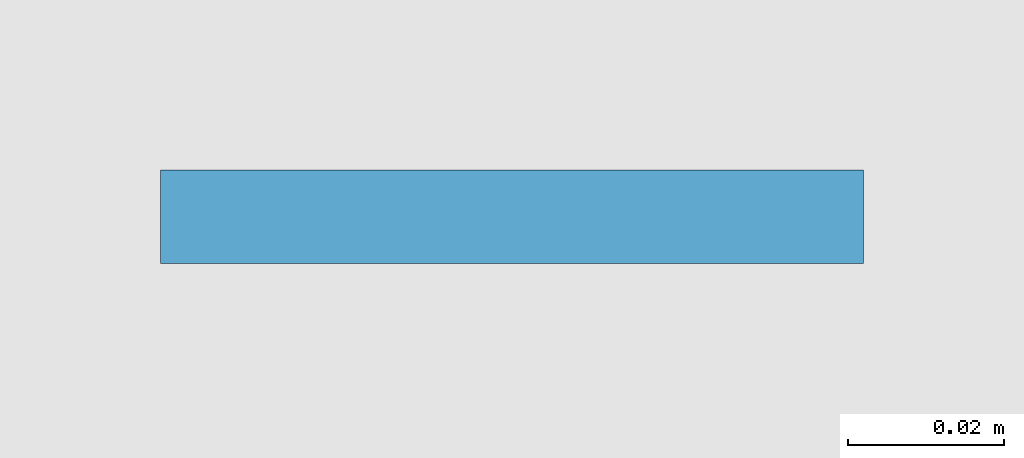
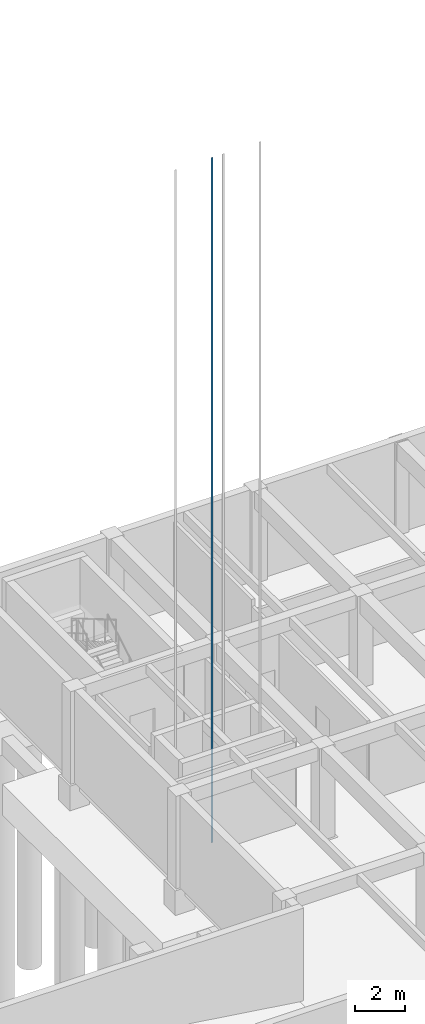
# One storey, part 9 of 44: 1 plate.
"""IFC4 building model written with IfcOpenShell, lengths in metres."""

from ifc_helpers import new_model, si_unit, direction, frame, origin, origin_2d, place, context, subcontext, project, spatial, rectangle, extrude, material, layer, layer_set, type_object, element, save


model = new_model("IFC4")

# Units and contexts
model_context = context("Model", 3, precision=1e-05, world=origin(), true_north=direction((0.0, 1.0)))
body_context = subcontext(model_context, "Body", "Model", "MODEL_VIEW")
ifc_project = project(units=[si_unit("LENGTHUNIT", "METRE"), si_unit("AREAUNIT", "SQUARE_METRE"), si_unit("VOLUMEUNIT", "CUBIC_METRE"), si_unit("PLANEANGLEUNIT", "RADIAN"), si_unit("MASSUNIT", "GRAM", prefix="KILO")], contexts=[model_context])

# Site, building, storey
site_placement = place(None, origin())
site = spatial("IfcSite", under=ifc_project, at=site_placement, CompositionType="ELEMENT")
building_placement = place(site_placement, origin())
building = spatial("IfcBuilding", under=site, at=building_placement, Name="Kolvaren Faculty of Natural Sciences", CompositionType="ELEMENT")
storey_placement = place(building_placement, frame((0.0, 0.0, -4.5)))
storey = spatial("IfcBuildingStorey", under=building, at=storey_placement, Name="B01", CompositionType="ELEMENT", Elevation=-4.5)

# Plate
ifc_material = material(Name="Structural steel EN 10025-2 S355J2", Category="steel")
ifc_layer = layer(ifc_material, 0.011962890625)
ifc_layer_set = layer_set([ifc_layer], Name="Structural steel EN 10025-2 S355J2")
plate_type = type_object("IfcPlateType", Name="LiftGuideRail_T89", PredefinedType="USERDEFINED", material=ifc_layer_set)
plate_placement = place(storey_placement, frame((36.2900390625, 28.14990234375, -0.81982421875), z_axis=(0.0, 0.0, 1.0), x_axis=(1.0, 0.0, 0.0)))
element("IfcPlate", 1, at=plate_placement, inside=storey, type_object=plate_type, Name="Lift PL-2 steel guide rail 2", ObjectType="GUIDE RAIL", PredefinedType="USERDEFINED", context=body_context, shape_type="SweptSolid", body=[
    extrude(rectangle(XDim=0.090087890625, YDim=0.011962890625, at=origin_2d()), origin(), (0.0, 0.0, 1.0), 33.320068359375),
])

save(model, "model.ifc")
